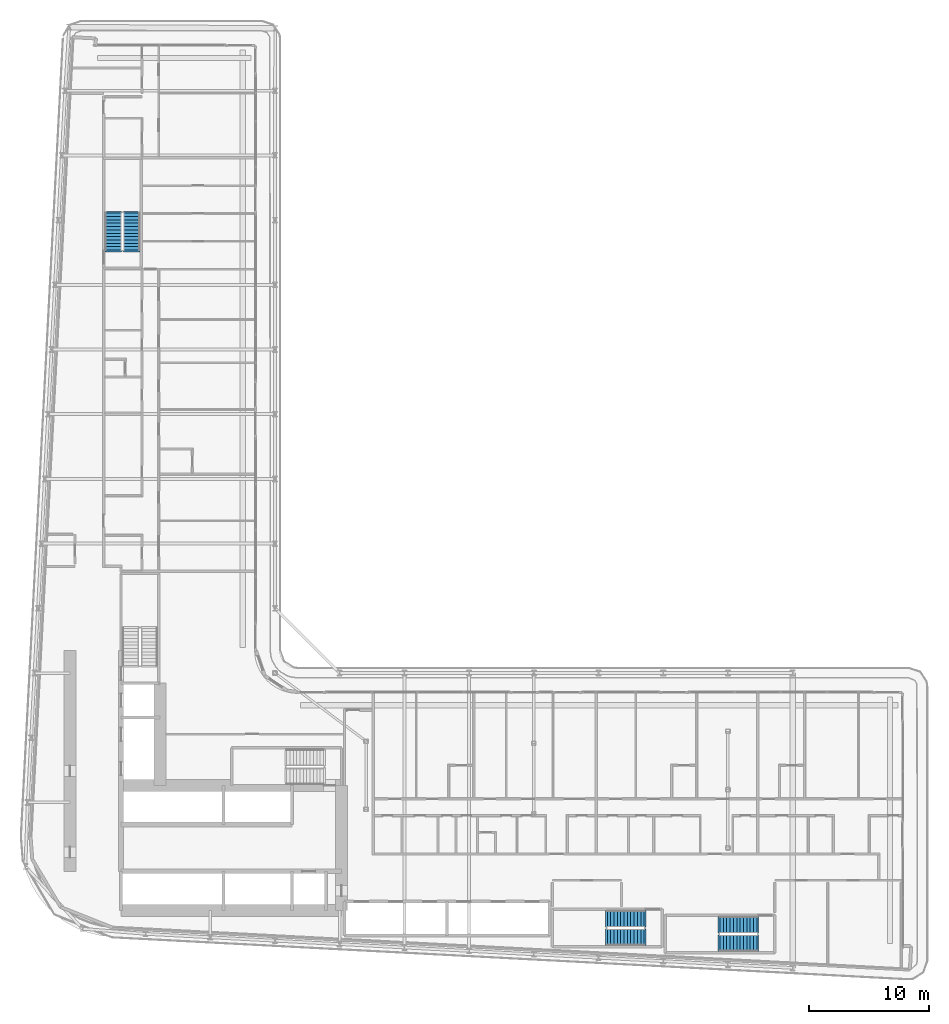
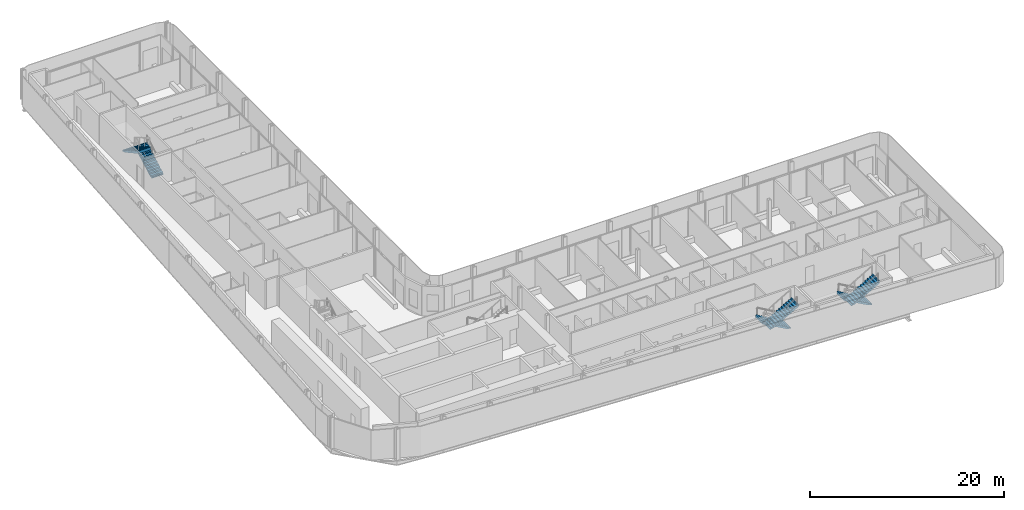
# One storey, part 22 of 29: 6 stair flights, 3 elements without a shape of their own.
"""IFC4 building model written with IfcOpenShell, lengths in metres."""

from ifc_helpers import new_model, si_unit, direction, frame, origin, place, context, subcontext, project, spatial, polyline, outline, extrude, material, layer, layer_set, type_object, element, aggregate, save


model = new_model("IFC4")

# Units and contexts
model_context = context("Model", 3, precision=1e-05, world=origin(), true_north=direction((0.0, 1.0)))
body_context = subcontext(model_context, "Body", "Model", "MODEL_VIEW")
ifc_project = project(units=[si_unit("LENGTHUNIT", "METRE"), si_unit("AREAUNIT", "SQUARE_METRE"), si_unit("VOLUMEUNIT", "CUBIC_METRE"), si_unit("PLANEANGLEUNIT", "RADIAN"), si_unit("MASSUNIT", "GRAM", prefix="KILO")], contexts=[model_context])

# Site, building, storey
site_placement = place(None, origin())
site = spatial("IfcSite", under=ifc_project, at=site_placement, CompositionType="ELEMENT")
building_placement = place(site_placement, origin())
building = spatial("IfcBuilding", under=site, at=building_placement, Name="Kheshtan School and Residences Tower", CompositionType="ELEMENT")
storey_placement = place(building_placement, frame((0.0, 0.0, 65.60009765625)))
storey = spatial("IfcBuildingStorey", under=building, at=storey_placement, Name="L15", CompositionType="ELEMENT", Elevation=65.60009765625)

# Stair, stair flights
ifc_material = material(Name="Concrete C40/50", Category="concrete")
stair_type = type_object("IfcStairType", Name="Exit stair, half-turn", PredefinedType="HALF_TURN_STAIR", material=ifc_material)
stair_1_placement = place(storey_placement, origin())
stair_1 = element("IfcStair", 1, at=stair_1_placement, inside=storey, type_object=stair_type, Name="L15 Protected Exit Stair ST3", PredefinedType="HALF_TURN_STAIR")
ifc_layer = layer(ifc_material, 0.14990234375)
ifc_layer_set = layer_set([ifc_layer], Name="Stair flight 1400 Concrete C40/50")
stair_flight_type = type_object("IfcStairFlightType", Name="Stair flight 1400 Concrete C40/50", PredefinedType="STRAIGHT", material=ifc_layer_set)
stair_flight_1_placement = place(storey_placement, frame((35.64990234375, 80.89990234375, 0.0), z_axis=(0.0, 0.0, 1.0), x_axis=(0.0, 1.0, 0.0)))
stair_flight_1 = element("IfcStairFlight", 2, at=stair_flight_1_placement, type_object=stair_flight_type, Name="ST3 flight 1", NumberOfRisers=12, NumberOfTreads=11, PredefinedType="STRAIGHT", RiserHeight=0.1625, TreadLength=0.28, context=body_context, shape_type="SweptSolid", body=[
    extrude(outline(polyline([(-0.14990234375, -0.10009765625), (-0.14990234375, 0.0), (0.0, 0.0), (0.0, 0.16259765625), (0.280029296875, 0.16259765625), (0.280029296875, 0.324951171875), (0.56005859375, 0.324951171875), (0.56005859375, 0.487548828125), (0.840087890625, 0.487548828125), (0.840087890625, 0.64990234375), (1.1201171875, 0.64990234375), (1.1201171875, 0.8125), (1.39990234375, 0.8125), (1.39990234375, 0.97509765625), (1.679931640625, 0.97509765625), (1.679931640625, 1.137451171875), (1.9599609375, 1.137451171875), (1.9599609375, 1.300048828125), (2.239990234375, 1.300048828125), (2.239990234375, 1.46240234375), (2.52001953125, 1.46240234375), (2.52001953125, 1.625), (2.800048828125, 1.625), (2.800048828125, 1.78759765625), (3.080078125, 1.78759765625), (3.080078125, 1.949951171875), (3.080078125, 1.969970703125), (3.22998046875, 1.969970703125), (3.22998046875, 1.6142578125), (0.298583984375, 0.0), (-0.14990234375, -0.10009765625)])), frame((0.0, 0.699951171875, 0.0), z_axis=(0.0, -1.0, 0.0), x_axis=(1.0, 0.0, 0.0)), (0.0, 0.0, 1.0), 1.39990234375),
])
stair_flight_2_placement = place(storey_placement, frame((34.10009765625, 83.97998046875, 1.949951171875), z_axis=(0.0, 0.0, 1.0), x_axis=(0.0, -1.0, 0.0)))
stair_flight_2 = element("IfcStairFlight", 3, at=stair_flight_2_placement, type_object=stair_flight_type, Name="ST3 flight 2", NumberOfRisers=12, NumberOfTreads=11, PredefinedType="STRAIGHT", RiserHeight=0.1625, TreadLength=0.28, context=body_context, shape_type="SweptSolid", body=[
    extrude(outline(polyline([(-0.14990234375, -0.10009765625), (-0.14990234375, 0.0), (0.0, 0.0), (0.0, 0.16259765625), (0.280029296875, 0.16259765625), (0.280029296875, 0.324951171875), (0.56005859375, 0.324951171875), (0.56005859375, 0.487548828125), (0.840087890625, 0.487548828125), (0.840087890625, 0.64990234375), (1.1201171875, 0.64990234375), (1.1201171875, 0.8125), (1.39990234375, 0.8125), (1.39990234375, 0.97509765625), (1.679931640625, 0.97509765625), (1.679931640625, 1.137451171875), (1.9599609375, 1.137451171875), (1.9599609375, 1.300048828125), (2.239990234375, 1.300048828125), (2.239990234375, 1.46240234375), (2.52001953125, 1.46240234375), (2.52001953125, 1.625), (2.800048828125, 1.625), (2.800048828125, 1.78759765625), (3.080078125, 1.78759765625), (3.080078125, 1.949951171875), (3.080078125, 1.969970703125), (3.22998046875, 1.969970703125), (3.22998046875, 1.6142578125), (0.298583984375, 0.0), (-0.14990234375, -0.10009765625)])), frame((0.0, 0.699951171875, 0.0), z_axis=(0.0, -1.0, 0.0), x_axis=(1.0, 0.0, 0.0)), (0.0, 0.0, 1.0), 1.39990234375),
])
aggregate(stair_1, [stair_flight_1, stair_flight_2])

stair_2_placement = place(storey_placement, origin())
stair_2 = element("IfcStair", 4, at=stair_2_placement, inside=storey, type_object=stair_type, Name="L15 Protected Exit Stair ST4", PredefinedType="HALF_TURN_STAIR")
stair_flight_3_placement = place(storey_placement, frame((87.820068359375, 24.60009765625, 0.0), z_axis=(0.0, 0.0, 1.0), x_axis=(-1.0, 0.0, 0.0)))
stair_flight_3 = element("IfcStairFlight", 5, at=stair_flight_3_placement, type_object=stair_flight_type, Name="ST4 flight 1", NumberOfRisers=12, NumberOfTreads=11, PredefinedType="STRAIGHT", RiserHeight=0.1625, TreadLength=0.28, context=body_context, shape_type="SweptSolid", body=[
    extrude(outline(polyline([(-0.14990234375, -0.10009765625), (-0.14990234375, 0.0), (0.0, 0.0), (0.0, 0.16259765625), (0.280029296875, 0.16259765625), (0.280029296875, 0.324951171875), (0.56005859375, 0.324951171875), (0.56005859375, 0.487548828125), (0.840087890625, 0.487548828125), (0.840087890625, 0.64990234375), (1.1201171875, 0.64990234375), (1.1201171875, 0.8125), (1.39990234375, 0.8125), (1.39990234375, 0.97509765625), (1.679931640625, 0.97509765625), (1.679931640625, 1.137451171875), (1.9599609375, 1.137451171875), (1.9599609375, 1.300048828125), (2.239990234375, 1.300048828125), (2.239990234375, 1.46240234375), (2.52001953125, 1.46240234375), (2.52001953125, 1.625), (2.800048828125, 1.625), (2.800048828125, 1.78759765625), (3.080078125, 1.78759765625), (3.080078125, 1.949951171875), (3.080078125, 1.969970703125), (3.22998046875, 1.969970703125), (3.22998046875, 1.6142578125), (0.298583984375, 0.0), (-0.14990234375, -0.10009765625)])), frame((0.0, 0.699951171875, 0.0), z_axis=(0.0, -1.0, 0.0), x_axis=(1.0, 0.0, 0.0)), (0.0, 0.0, 1.0), 1.39990234375),
])
stair_flight_4_placement = place(storey_placement, frame((84.739990234375, 23.050048828125, 1.949951171875), z_axis=(0.0, 0.0, 1.0), x_axis=(1.0, 0.0, 0.0)))
stair_flight_4 = element("IfcStairFlight", 6, at=stair_flight_4_placement, type_object=stair_flight_type, Name="ST4 flight 2", NumberOfRisers=12, NumberOfTreads=11, PredefinedType="STRAIGHT", RiserHeight=0.1625, TreadLength=0.28, context=body_context, shape_type="SweptSolid", body=[
    extrude(outline(polyline([(-0.14990234375, -0.10009765625), (-0.14990234375, 0.0), (0.0, 0.0), (0.0, 0.16259765625), (0.280029296875, 0.16259765625), (0.280029296875, 0.324951171875), (0.56005859375, 0.324951171875), (0.56005859375, 0.487548828125), (0.840087890625, 0.487548828125), (0.840087890625, 0.64990234375), (1.1201171875, 0.64990234375), (1.1201171875, 0.8125), (1.39990234375, 0.8125), (1.39990234375, 0.97509765625), (1.679931640625, 0.97509765625), (1.679931640625, 1.137451171875), (1.9599609375, 1.137451171875), (1.9599609375, 1.300048828125), (2.239990234375, 1.300048828125), (2.239990234375, 1.46240234375), (2.52001953125, 1.46240234375), (2.52001953125, 1.625), (2.800048828125, 1.625), (2.800048828125, 1.78759765625), (3.080078125, 1.78759765625), (3.080078125, 1.949951171875), (3.080078125, 1.969970703125), (3.22998046875, 1.969970703125), (3.22998046875, 1.6142578125), (0.298583984375, 0.0), (-0.14990234375, -0.10009765625)])), frame((0.0, 0.699951171875, 0.0), z_axis=(0.0, -1.0, 0.0), x_axis=(1.0, 0.0, 0.0)), (0.0, 0.0, 1.0), 1.39990234375),
])
aggregate(stair_2, [stair_flight_3, stair_flight_4])

stair_3_placement = place(storey_placement, origin())
stair_3 = element("IfcStair", 7, at=stair_3_placement, inside=storey, type_object=stair_type, Name="L15 Protected Exit Stair ST5", PredefinedType="HALF_TURN_STAIR")
stair_flight_5_placement = place(storey_placement, frame((78.409912109375, 25.10009765625, 0.0), z_axis=(0.0, 0.0, 1.0), x_axis=(-1.0, 0.0, 0.0)))
stair_flight_5 = element("IfcStairFlight", 8, at=stair_flight_5_placement, type_object=stair_flight_type, Name="ST5 flight 1", NumberOfRisers=12, NumberOfTreads=11, PredefinedType="STRAIGHT", RiserHeight=0.1625, TreadLength=0.28, context=body_context, shape_type="SweptSolid", body=[
    extrude(outline(polyline([(-0.14990234375, -0.10009765625), (-0.14990234375, 0.0), (0.0, 0.0), (0.0, 0.16259765625), (0.280029296875, 0.16259765625), (0.280029296875, 0.324951171875), (0.56005859375, 0.324951171875), (0.56005859375, 0.487548828125), (0.840087890625, 0.487548828125), (0.840087890625, 0.64990234375), (1.1201171875, 0.64990234375), (1.1201171875, 0.8125), (1.39990234375, 0.8125), (1.39990234375, 0.97509765625), (1.679931640625, 0.97509765625), (1.679931640625, 1.137451171875), (1.9599609375, 1.137451171875), (1.9599609375, 1.300048828125), (2.239990234375, 1.300048828125), (2.239990234375, 1.46240234375), (2.52001953125, 1.46240234375), (2.52001953125, 1.625), (2.800048828125, 1.625), (2.800048828125, 1.78759765625), (3.080078125, 1.78759765625), (3.080078125, 1.949951171875), (3.080078125, 1.969970703125), (3.22998046875, 1.969970703125), (3.22998046875, 1.6142578125), (0.298583984375, 0.0), (-0.14990234375, -0.10009765625)])), frame((0.0, 0.699951171875, 0.0), z_axis=(0.0, -1.0, 0.0), x_axis=(1.0, 0.0, 0.0)), (0.0, 0.0, 1.0), 1.39990234375),
])
stair_flight_6_placement = place(storey_placement, frame((75.330078125, 23.550048828125, 1.949951171875), z_axis=(0.0, 0.0, 1.0), x_axis=(1.0, 0.0, 0.0)))
stair_flight_6 = element("IfcStairFlight", 9, at=stair_flight_6_placement, type_object=stair_flight_type, Name="ST5 flight 2", NumberOfRisers=12, NumberOfTreads=11, PredefinedType="STRAIGHT", RiserHeight=0.1625, TreadLength=0.28, context=body_context, shape_type="SweptSolid", body=[
    extrude(outline(polyline([(-0.14990234375, -0.10009765625), (-0.14990234375, 0.0), (0.0, 0.0), (0.0, 0.16259765625), (0.280029296875, 0.16259765625), (0.280029296875, 0.324951171875), (0.56005859375, 0.324951171875), (0.56005859375, 0.487548828125), (0.840087890625, 0.487548828125), (0.840087890625, 0.64990234375), (1.1201171875, 0.64990234375), (1.1201171875, 0.8125), (1.39990234375, 0.8125), (1.39990234375, 0.97509765625), (1.679931640625, 0.97509765625), (1.679931640625, 1.137451171875), (1.9599609375, 1.137451171875), (1.9599609375, 1.300048828125), (2.239990234375, 1.300048828125), (2.239990234375, 1.46240234375), (2.52001953125, 1.46240234375), (2.52001953125, 1.625), (2.800048828125, 1.625), (2.800048828125, 1.78759765625), (3.080078125, 1.78759765625), (3.080078125, 1.949951171875), (3.080078125, 1.969970703125), (3.22998046875, 1.969970703125), (3.22998046875, 1.6142578125), (0.298583984375, 0.0), (-0.14990234375, -0.10009765625)])), frame((0.0, 0.699951171875, 0.0), z_axis=(0.0, -1.0, 0.0), x_axis=(1.0, 0.0, 0.0)), (0.0, 0.0, 1.0), 1.39990234375),
])
aggregate(stair_3, [stair_flight_5, stair_flight_6])

save(model, "model.ifc")
